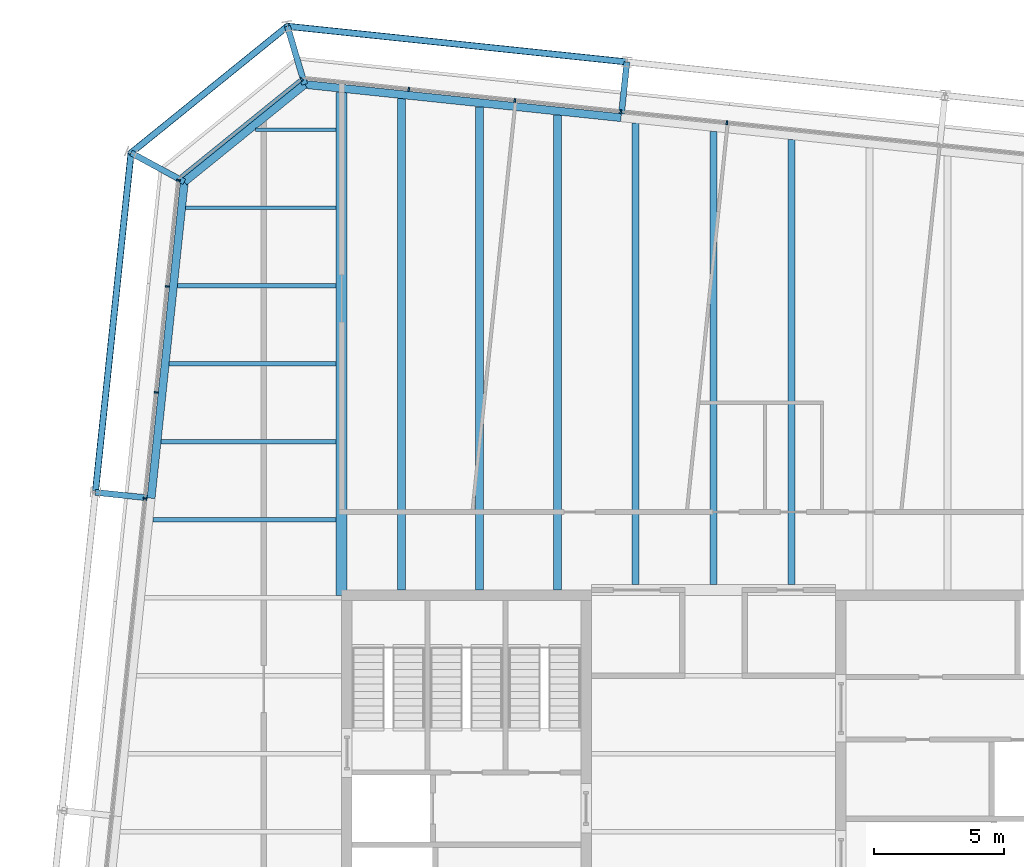
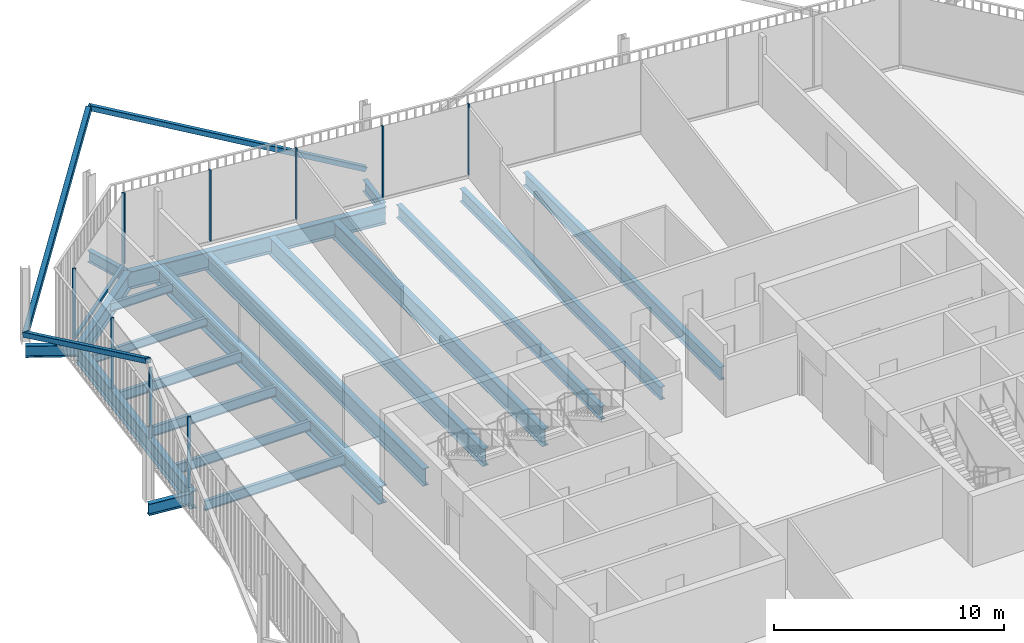
# One storey, part 12 of 21: 20 beams, 13 members, 3 elements without a shape of their own.
"""IFC4 building model written with IfcOpenShell, lengths in metres."""

from ifc_helpers import new_model, si_unit, direction, frame, origin, origin_2d, place, context, subcontext, project, spatial, rectangle, hollow_rectangle, i_section, extrude, material, layer, layer_set, material_profile, profile_set, type_object, element, aggregate, save


model = new_model("IFC4")

# Units and contexts
model_context = context("Model", 3, precision=1e-05, world=origin(), true_north=direction((0.0, 1.0)))
body_context = subcontext(model_context, "Body", "Model", "MODEL_VIEW")
ifc_project = project(units=[si_unit("LENGTHUNIT", "METRE"), si_unit("AREAUNIT", "SQUARE_METRE"), si_unit("VOLUMEUNIT", "CUBIC_METRE"), si_unit("PLANEANGLEUNIT", "RADIAN"), si_unit("MASSUNIT", "GRAM", prefix="KILO")], contexts=[model_context])

# Site, building, storey
site_placement = place(None, origin())
site = spatial("IfcSite", under=ifc_project, at=site_placement, CompositionType="ELEMENT")
building_placement = place(site_placement, origin())
building = spatial("IfcBuilding", under=site, at=building_placement, Name="Millrace Tower", CompositionType="ELEMENT")
storey_placement = place(building_placement, frame((0.0, 0.0, 283.800048828125)))
storey = spatial("IfcBuildingStorey", under=building, at=storey_placement, Name="L65", CompositionType="ELEMENT", Elevation=283.800048828125)

# Curtain wall, members
ifc_material_1 = material(Name="Aluminium and glass", Category="aluminium")
ifc_layer = layer(ifc_material_1, 0.14990234375)
ifc_layer_set = layer_set([ifc_layer], Name="Aluminium and glass")
curtain_wall_type = type_object("IfcCurtainWallType", Name="CW-1 office vision curtain wall", PredefinedType="NOTDEFINED", material=ifc_layer_set)
placement = place(storey_placement, origin())
curtain_wall_1 = element("IfcCurtainWall", 1, at=placement, inside=storey, type_object=curtain_wall_type, Name="Curtain wall E-F06 L65", PredefinedType="NOTDEFINED")
ifc_material_2 = material(Name="Aluminium", Category="aluminium")
ifc_material_profile_1 = material_profile(ifc_material_2, rectangle(XDim=0.06494140625, YDim=0.14990234375, at=origin_2d()))
ifc_profile_set_1 = profile_set([ifc_material_profile_1], Name="Aluminium")
member_type_1 = type_object("IfcMemberType", Name="CW-1 office vision curtain wall mullion", PredefinedType="MULLION", material=ifc_profile_set_1)
member_1_placement = place(storey_placement, frame((0.514892578125, 27.267578125, 0.139892578125), z_axis=(0.0, 0.0, 1.0), x_axis=(-0.994521896217, 0.104528455196, 0.0)))
member_1 = element("IfcMember", 2, at=member_1_placement, type_object=member_type_1, Name="CW1 mullion E-F06.6", PredefinedType="MULLION", context=body_context, shape_type="SweptSolid", body=[
    extrude(rectangle(XDim=0.06494140625, YDim=0.14990234375, at=origin_2d()), origin(), (0.0, 0.0, 1.0), 3.760009765625),
])
member_2_placement = place(storey_placement, frame((-3.562744140625, 27.6962890625, 0.139892578125), z_axis=(0.0, 0.0, 1.0), x_axis=(-0.994521896217, 0.104528455196, 0.0)))
member_2 = element("IfcMember", 3, at=member_2_placement, type_object=member_type_1, Name="CW1 mullion E-F06.7", PredefinedType="MULLION", context=body_context, shape_type="SweptSolid", body=[
    extrude(rectangle(XDim=0.06494140625, YDim=0.14990234375, at=origin_2d()), origin(), (0.0, 0.0, 1.0), 3.760009765625),
])
member_3_placement = place(storey_placement, frame((-7.640380859375, 28.124755859375, 0.139892578125), z_axis=(0.0, 0.0, 1.0), x_axis=(-0.994521896217, 0.104528455196, 0.0)))
member_3 = element("IfcMember", 4, at=member_3_placement, type_object=member_type_1, Name="CW1 mullion E-F06.8", PredefinedType="MULLION", context=body_context, shape_type="SweptSolid", body=[
    extrude(rectangle(XDim=0.06494140625, YDim=0.14990234375, at=origin_2d()), origin(), (0.0, 0.0, 1.0), 3.760009765625),
])
member_4_placement = place(storey_placement, frame((-11.7177734375, 28.55322265625, 0.139892578125), z_axis=(0.0, 0.0, 1.0), x_axis=(-0.994521896217, 0.104528455196, 0.0)))
member_4 = element("IfcMember", 5, at=member_4_placement, type_object=member_type_1, Name="CW1 mullion E-F06.9", PredefinedType="MULLION", context=body_context, shape_type="SweptSolid", body=[
    extrude(rectangle(XDim=0.06494140625, YDim=0.14990234375, at=origin_2d()), origin(), (0.0, 0.0, 1.0), 3.760009765625),
])
aggregate(curtain_wall_1, [member_1, member_2, member_3, member_4])

# Curtain wall, member
curtain_wall_2 = element("IfcCurtainWall", 6, at=placement, inside=storey, type_object=curtain_wall_type, Name="Curtain wall E-F07 L65", PredefinedType="NOTDEFINED")
member_5_placement = place(storey_placement, frame((-15.84326171875, 28.941650390625, 0.139892578125), z_axis=(0.0, 0.0, 1.0), x_axis=(-0.777146052237, -0.629320278945, 0.0)))
member_5 = element("IfcMember", 7, at=member_5_placement, type_object=member_type_1, Name="CW1 mullion E-F07.1", PredefinedType="MULLION", context=body_context, shape_type="SweptSolid", body=[
    extrude(rectangle(XDim=0.06494140625, YDim=0.14990234375, at=origin_2d()), origin(), (0.0, 0.0, 1.0), 3.760009765625),
])

# Curtain wall, members
curtain_wall_3 = element("IfcCurtainWall", 8, at=placement, inside=storey, type_object=curtain_wall_type, Name="Curtain wall E-F08 L65", PredefinedType="NOTDEFINED")
member_6_placement = place(storey_placement, frame((-20.57470703125, 25.052490234375, 0.139892578125), z_axis=(0.0, 0.0, 1.0), x_axis=(-0.104528455196, -0.994521896217, 0.0)))
member_6 = element("IfcMember", 9, at=member_6_placement, type_object=member_type_1, Name="CW1 mullion E-F08.1", PredefinedType="MULLION", context=body_context, shape_type="SweptSolid", body=[
    extrude(rectangle(XDim=0.06494140625, YDim=0.14990234375, at=origin_2d()), origin(), (0.0, 0.0, 1.0), 3.760009765625),
])
member_7_placement = place(storey_placement, frame((-21.00341796875, 20.974853515625, 0.139892578125), z_axis=(0.0, 0.0, 1.0), x_axis=(-0.104528455196, -0.994521896217, 0.0)))
member_7 = element("IfcMember", 10, at=member_7_placement, type_object=member_type_1, Name="CW1 mullion E-F08.2", PredefinedType="MULLION", context=body_context, shape_type="SweptSolid", body=[
    extrude(rectangle(XDim=0.06494140625, YDim=0.14990234375, at=origin_2d()), origin(), (0.0, 0.0, 1.0), 3.760009765625),
])
member_8_placement = place(storey_placement, frame((-21.431884765625, 16.8974609375, 0.139892578125), z_axis=(0.0, 0.0, 1.0), x_axis=(-0.104528455196, -0.994521896217, 0.0)))
member_8 = element("IfcMember", 11, at=member_8_placement, type_object=member_type_1, Name="CW1 mullion E-F08.3", PredefinedType="MULLION", context=body_context, shape_type="SweptSolid", body=[
    extrude(rectangle(XDim=0.06494140625, YDim=0.14990234375, at=origin_2d()), origin(), (0.0, 0.0, 1.0), 3.760009765625),
])
member_9_placement = place(storey_placement, frame((-21.860595703125, 12.81982421875, 0.139892578125), z_axis=(0.0, 0.0, 1.0), x_axis=(-0.104528455196, -0.994521896217, 0.0)))
member_9 = element("IfcMember", 12, at=member_9_placement, type_object=member_type_1, Name="CW1 mullion E-F08.4", PredefinedType="MULLION", context=body_context, shape_type="SweptSolid", body=[
    extrude(rectangle(XDim=0.06494140625, YDim=0.14990234375, at=origin_2d()), origin(), (0.0, 0.0, 1.0), 3.760009765625),
])
aggregate(curtain_wall_3, [member_6, member_7, member_8, member_9])

# Member
ifc_material_3 = material(Name="Aluminium", Category="aluminium")
ifc_material_profile_2 = material_profile(ifc_material_3, rectangle(XDim=0.14990234375, YDim=0.139892578125, at=origin_2d()))
ifc_profile_set_2 = profile_set([ifc_material_profile_2], Name="Aluminium")
member_type_2 = type_object("IfcMemberType", Name="CW-1 office vision curtain wall transom", PredefinedType="USERDEFINED", material=ifc_profile_set_2)
member_10_placement = place(storey_placement, frame((-15.895751953125, 28.899169921875, 0.070068359375), z_axis=(-0.777165591695, -0.629296148951, 0.0), x_axis=(0.629296148951, -0.777165591695, 0.0)))
member_10 = element("IfcMember", 13, at=member_10_placement, type_object=member_type_2, Name="CW1 transom E-F07.1", ObjectType="TRANSOM", PredefinedType="USERDEFINED", context=body_context, shape_type="SweptSolid", body=[
    extrude(rectangle(XDim=0.14990234375, YDim=0.139892578125, at=origin_2d()), origin(), (0.0, 0.0, 1.0), 5.881103515625),
])

aggregate(curtain_wall_2, [member_5, member_10])

# Members
ifc_material_4 = material(Name="Steel ASTM A500 Grade C", Category="steel")
ifc_material_profile_3 = material_profile(ifc_material_4, hollow_rectangle(XDim=0.25390625, YDim=0.25390625, WallThickness=0.0126953125, InnerFilletRadius=0.00634765625, OuterFilletRadius=0.01904296875, at=origin_2d()))
ifc_profile_set_3 = profile_set([ifc_material_profile_3], Name="Steel ASTM A500 Grade C")
member_type_3 = type_object("IfcMemberType", Name="Exoskeleton brace HSS10x10x1/2", PredefinedType="BRACE", material=ifc_profile_set_3)
member_11_placement = place(storey_placement, frame((-3.329345703125, 29.607177734375, 0.39990234375), z_axis=(-0.877568210125, 0.092238278747, 0.470495628578), x_axis=(-0.104530865473, -0.994521642883, 0.0)))
element("IfcMember", 14, at=member_11_placement, inside=storey, type_object=member_type_3, Name="BRC-E-L65-12", PredefinedType="BRACE", context=body_context, shape_type="SweptSolid", body=[
    extrude(hollow_rectangle(XDim=0.25390625, YDim=0.25390625, WallThickness=0.0126953125, InnerFilletRadius=0.00634765625, OuterFilletRadius=0.01904296875, at=origin_2d()), origin(), (0.0, 0.0, 1.0), 14.8779296875),
])
member_12_placement = place(storey_placement, frame((-22.399169921875, 26.10986328125, 0.39990234375), z_axis=(0.57631352586, 0.466694392708, 0.670864415308), x_axis=(-0.62932438279, 0.777142728993, 0.0)))
element("IfcMember", 15, at=member_12_placement, inside=storey, type_object=member_type_3, Name="BRC-E-L65-13", PredefinedType="BRACE", context=body_context, shape_type="SweptSolid", body=[
    extrude(hollow_rectangle(XDim=0.25390625, YDim=0.25390625, WallThickness=0.0126953125, InnerFilletRadius=0.00634765625, OuterFilletRadius=0.01904296875, at=origin_2d()), origin(), (0.0, 0.0, 1.0), 10.434326171875),
])
member_13_placement = place(storey_placement, frame((-22.399169921875, 26.10986328125, 0.39990234375), z_axis=(-0.092238278747, -0.877568210125, 0.470495628578), x_axis=(0.994521642883, -0.104530865473, 0.0)))
element("IfcMember", 16, at=member_13_placement, inside=storey, type_object=member_type_3, Name="BRC-E-L65-14", PredefinedType="BRACE", context=body_context, shape_type="SweptSolid", body=[
    extrude(hollow_rectangle(XDim=0.25390625, YDim=0.25390625, WallThickness=0.0126953125, InnerFilletRadius=0.00634765625, OuterFilletRadius=0.01904296875, at=origin_2d()), origin(), (0.0, 0.0, 1.0), 14.8779296875),
])

# Beams
ifc_material_5 = material(Name="Steel ASTM A992 Grade 50", Category="steel")
ifc_material_profile_4 = material_profile(ifc_material_5, i_section(OverallWidth=0.15234375, OverallDepth=0.449462890625, WebThickness=0.007568359375, FlangeThickness=0.0107421875, FilletRadius=0.01025390625, at=origin_2d()))
ifc_profile_set_4 = profile_set([ifc_material_profile_4], Name="Steel ASTM A992 Grade 50")
beam_type_1 = type_object("IfcBeamType", Name="Floor beam W18x35", PredefinedType="JOIST", material=ifc_profile_set_4)
beam_1_placement = place(storey_placement, frame((-20.301025390625, 24.0, -0.384765625), z_axis=(1.0, 0.0, 0.0), x_axis=(0.0, 1.0, 0.0)))
element("IfcBeam", 17, at=beam_1_placement, inside=storey, type_object=beam_type_1, Name="BM-E-L65-S1-S033", PredefinedType="JOIST", context=body_context, shape_type="SweptSolid", body=[
    extrude(i_section(OverallWidth=0.15234375, OverallDepth=0.449462890625, WebThickness=0.007568359375, FlangeThickness=0.0107421875, FilletRadius=0.01025390625, at=origin_2d()), origin(), (0.0, 0.0, 1.0), 5.79150390625),
])
beam_2_placement = place(storey_placement, frame((-17.609619140625, 27.0, -0.384765625), z_axis=(1.0, 0.0, 0.0), x_axis=(0.0, 1.0, 0.0)))
element("IfcBeam", 18, at=beam_2_placement, inside=storey, type_object=beam_type_1, Name="BM-E-L65-S1-S035", PredefinedType="JOIST", context=body_context, shape_type="SweptSolid", body=[
    extrude(i_section(OverallWidth=0.15234375, OverallDepth=0.449462890625, WebThickness=0.007568359375, FlangeThickness=0.0107421875, FilletRadius=0.01025390625, at=origin_2d()), origin(), (0.0, 0.0, 1.0), 3.10009765625),
])
ifc_material_6 = material(Name="Steel ASTM A992 Grade 50", Category="steel")
ifc_material_profile_5 = material_profile(ifc_material_6, i_section(OverallWidth=0.1650390625, OverallDepth=0.52587890625, WebThickness=0.0087890625, FlangeThickness=0.011474609375, FilletRadius=0.0126953125, at=origin_2d()))
ifc_profile_set_5 = profile_set([ifc_material_profile_5], Name="Steel ASTM A992 Grade 50")
beam_type_2 = type_object("IfcBeamType", Name="Floor beam W21x44", PredefinedType="JOIST", material=ifc_profile_set_5)
beam_3_placement = place(storey_placement, frame((-21.562255859375, 12.0, -0.4228515625), z_axis=(1.0, 0.0, 0.0), x_axis=(0.0, 1.0, 0.0)))
element("IfcBeam", 19, at=beam_3_placement, inside=storey, type_object=beam_type_2, Name="BM-E-L65-S1-S025", PredefinedType="JOIST", context=body_context, shape_type="SweptSolid", body=[
    extrude(i_section(OverallWidth=0.1650390625, OverallDepth=0.52587890625, WebThickness=0.0087890625, FlangeThickness=0.011474609375, FilletRadius=0.0126953125, at=origin_2d()), origin(), (0.0, 0.0, 1.0), 7.052734375),
])
beam_4_placement = place(storey_placement, frame((-21.246826171875, 15.0, -0.4228515625), z_axis=(1.0, 0.0, 0.0), x_axis=(0.0, 1.0, 0.0)))
element("IfcBeam", 20, at=beam_4_placement, inside=storey, type_object=beam_type_2, Name="BM-E-L65-S1-S027", PredefinedType="JOIST", context=body_context, shape_type="SweptSolid", body=[
    extrude(i_section(OverallWidth=0.1650390625, OverallDepth=0.52587890625, WebThickness=0.0087890625, FlangeThickness=0.011474609375, FilletRadius=0.0126953125, at=origin_2d()), origin(), (0.0, 0.0, 1.0), 6.7373046875),
])
beam_5_placement = place(storey_placement, frame((-20.931640625, 18.0, -0.4228515625), z_axis=(1.0, 0.0, 0.0), x_axis=(0.0, 1.0, 0.0)))
element("IfcBeam", 21, at=beam_5_placement, inside=storey, type_object=beam_type_2, Name="BM-E-L65-S1-S029", PredefinedType="JOIST", context=body_context, shape_type="SweptSolid", body=[
    extrude(i_section(OverallWidth=0.1650390625, OverallDepth=0.52587890625, WebThickness=0.0087890625, FlangeThickness=0.011474609375, FilletRadius=0.0126953125, at=origin_2d()), origin(), (0.0, 0.0, 1.0), 6.422119140625),
])
beam_6_placement = place(storey_placement, frame((-20.6162109375, 21.0, -0.4228515625), z_axis=(1.0, 0.0, 0.0), x_axis=(0.0, 1.0, 0.0)))
element("IfcBeam", 22, at=beam_6_placement, inside=storey, type_object=beam_type_2, Name="BM-E-L65-S1-S031", PredefinedType="JOIST", context=body_context, shape_type="SweptSolid", body=[
    extrude(i_section(OverallWidth=0.1650390625, OverallDepth=0.52587890625, WebThickness=0.0087890625, FlangeThickness=0.011474609375, FilletRadius=0.0126953125, at=origin_2d()), origin(), (0.0, 0.0, 1.0), 6.106689453125),
])
ifc_material_7 = material(Name="Steel ASTM A992 Grade 50", Category="steel")
ifc_material_profile_6 = material_profile(ifc_material_7, i_section(OverallWidth=0.256591796875, OverallDepth=0.693359375, WebThickness=0.014404296875, FlangeThickness=0.023681640625, FilletRadius=0.01513671875, at=origin_2d()))
ifc_profile_set_6 = profile_set([ifc_material_profile_6], Name="Steel ASTM A992 Grade 50")
beam_type_3 = type_object("IfcBeamType", Name="Floor beam W27x114", PredefinedType="JOIST", material=ifc_profile_set_6)
beam_7_placement = place(storey_placement, frame((-3.0, 9.509521484375, -0.5068359375), z_axis=(0.0, 1.0, 0.0), x_axis=(-1.0, 0.0, 0.0)))
element("IfcBeam", 23, at=beam_7_placement, inside=storey, type_object=beam_type_3, Name="BM-E-L65-S1-S042", PredefinedType="JOIST", context=body_context, shape_type="SweptSolid", body=[
    extrude(i_section(OverallWidth=0.256591796875, OverallDepth=0.693359375, WebThickness=0.014404296875, FlangeThickness=0.023681640625, FilletRadius=0.01513671875, at=origin_2d()), origin(), (0.0, 0.0, 1.0), 17.7431640625),
])
beam_8_placement = place(storey_placement, frame((0.0, 9.509521484375, -0.5068359375), z_axis=(0.0, 1.0, 0.0), x_axis=(-1.0, 0.0, 0.0)))
element("IfcBeam", 24, at=beam_8_placement, inside=storey, type_object=beam_type_3, Name="BM-E-L65-S1-S044", PredefinedType="JOIST", context=body_context, shape_type="SweptSolid", body=[
    extrude(i_section(OverallWidth=0.256591796875, OverallDepth=0.693359375, WebThickness=0.014404296875, FlangeThickness=0.023681640625, FilletRadius=0.01513671875, at=origin_2d()), origin(), (0.0, 0.0, 1.0), 17.427734375),
])
beam_9_placement = place(storey_placement, frame((3.0, 9.509521484375, -0.5068359375), z_axis=(0.0, 1.0, 0.0), x_axis=(-1.0, 0.0, 0.0)))
element("IfcBeam", 25, at=beam_9_placement, inside=storey, type_object=beam_type_3, Name="BM-E-L65-S1-S046", PredefinedType="JOIST", context=body_context, shape_type="SweptSolid", body=[
    extrude(i_section(OverallWidth=0.256591796875, OverallDepth=0.693359375, WebThickness=0.014404296875, FlangeThickness=0.023681640625, FilletRadius=0.01513671875, at=origin_2d()), origin(), (0.0, 0.0, 1.0), 17.112548828125),
])
ifc_material_8 = material(Name="Steel ASTM A992 Grade 50", Category="steel")
ifc_material_profile_7 = material_profile(ifc_material_8, i_section(OverallWidth=0.307373046875, OverallDepth=0.927001953125, WebThickness=0.01953125, FlangeThickness=0.031982421875, FilletRadius=0.01904296875, at=origin_2d()))
ifc_profile_set_7 = profile_set([ifc_material_profile_7], Name="Steel ASTM A992 Grade 50")
beam_type_4 = type_object("IfcBeamType", Name="Floor beam W36x194", PredefinedType="JOIST", material=ifc_profile_set_7)
beam_10_placement = place(storey_placement, frame((-12.0, 9.300048828125, -0.62353515625), z_axis=(0.0, 1.0, 0.0), x_axis=(-1.0, 0.0, 0.0)))
element("IfcBeam", 26, at=beam_10_placement, inside=storey, type_object=beam_type_4, Name="BM-E-L65-S1-S036", PredefinedType="JOIST", context=body_context, shape_type="SweptSolid", body=[
    extrude(i_section(OverallWidth=0.307373046875, OverallDepth=0.927001953125, WebThickness=0.01953125, FlangeThickness=0.031982421875, FilletRadius=0.01904296875, at=origin_2d()), origin(), (0.0, 0.0, 1.0), 18.8984375),
])
beam_11_placement = place(storey_placement, frame((-9.0, 9.300048828125, -0.62353515625), z_axis=(0.0, 1.0, 0.0), x_axis=(-1.0, 0.0, 0.0)))
element("IfcBeam", 27, at=beam_11_placement, inside=storey, type_object=beam_type_4, Name="BM-E-L65-S1-S038", PredefinedType="JOIST", context=body_context, shape_type="SweptSolid", body=[
    extrude(i_section(OverallWidth=0.307373046875, OverallDepth=0.927001953125, WebThickness=0.01953125, FlangeThickness=0.031982421875, FilletRadius=0.01904296875, at=origin_2d()), origin(), (0.0, 0.0, 1.0), 18.583251953125),
])
beam_12_placement = place(storey_placement, frame((-6.0, 9.300048828125, -0.62353515625), z_axis=(0.0, 1.0, 0.0), x_axis=(-1.0, 0.0, 0.0)))
element("IfcBeam", 28, at=beam_12_placement, inside=storey, type_object=beam_type_4, Name="BM-E-L65-S1-S040", PredefinedType="JOIST", context=body_context, shape_type="SweptSolid", body=[
    extrude(i_section(OverallWidth=0.307373046875, OverallDepth=0.927001953125, WebThickness=0.01953125, FlangeThickness=0.031982421875, FilletRadius=0.01904296875, at=origin_2d()), origin(), (0.0, 0.0, 1.0), 18.267822265625),
])
ifc_material_9 = material(Name="Steel ASTM A992 Grade 50", Category="steel")
ifc_material_profile_8 = material_profile(ifc_material_9, i_section(OverallWidth=0.424072265625, OverallDepth=0.947509765625, WebThickness=0.02392578125, FlangeThickness=0.042724609375, FilletRadius=0.024169921875, at=origin_2d()))
ifc_profile_set_8 = profile_set([ifc_material_profile_8], Name="Steel ASTM A992 Grade 50")
beam_type_5 = type_object("IfcBeamType", Name="Girder medium span W36x302", PredefinedType="BEAM", material=ifc_profile_set_8)
beam_13_placement = place(storey_placement, frame((-14.300048828125, 9.083984375, -0.6337890625), z_axis=(0.0, 1.0, 0.0), x_axis=(-1.0, 0.0, 0.0)))
element("IfcBeam", 29, at=beam_13_placement, inside=storey, type_object=beam_type_5, Name="BM-E-L65-S1-G054", PredefinedType="BEAM", context=body_context, shape_type="SweptSolid", body=[
    extrude(i_section(OverallWidth=0.424072265625, OverallDepth=0.947509765625, WebThickness=0.02392578125, FlangeThickness=0.042724609375, FilletRadius=0.024169921875, at=origin_2d()), origin(), (0.0, 0.0, 1.0), 19.356201171875),
])
ifc_material_10 = material(Name="Steel ASTM A992 Grade 50", Category="steel")
ifc_material_profile_9 = material_profile(ifc_material_10, i_section(OverallWidth=0.23046875, OverallDepth=0.6171875, WebThickness=0.01318359375, FlangeThickness=0.022216796875, FilletRadius=0.012939453125, at=origin_2d()))
ifc_profile_set_9 = profile_set([ifc_material_profile_9], Name="Steel ASTM A992 Grade 50")
beam_type_6 = type_object("IfcBeamType", Name="Link beam W24x94", PredefinedType="BEAM", material=ifc_profile_set_9)
beam_14_placement = place(storey_placement, frame((-21.782470703125, 12.84423828125, -0.46875), z_axis=(-0.994512808172, 0.104614886044, 0.0), x_axis=(-0.104614886044, -0.994512808172, 0.0)))
element("IfcBeam", 30, at=beam_14_placement, inside=storey, type_object=beam_type_6, Name="LNK-E-L65-S1-03", PredefinedType="BEAM", context=body_context, shape_type="SweptSolid", body=[
    extrude(i_section(OverallWidth=0.23046875, OverallDepth=0.6171875, WebThickness=0.01318359375, FlangeThickness=0.022216796875, FilletRadius=0.012939453125, at=origin_2d()), origin(), (0.0, 0.0, 1.0), 2.0),
])
for number, where, z_axis, x_axis, name in (
    (31, (-20.3505859375, 24.99755859375, -0.46875), (-0.87881453358, 0.477163510307, 0.0), (-0.477163510307, -0.87881453358, 0.0), "LNK-E-L65-S1-04"),
    (32, (-15.7236328125, 28.744384765625, -0.46875), (-0.284031275065, 0.958815015936, 0.0), (-0.958815015936, -0.284031275065, 0.0), "LNK-E-L65-S1-05"),
):
    element("IfcBeam", number, at=place(storey_placement, frame(where, z_axis=z_axis, x_axis=x_axis)), inside=storey, type_object=beam_type_6, Name=name, PredefinedType="BEAM", context=body_context, shape_type="SweptSolid", body=[
        extrude(i_section(OverallWidth=0.23046875, OverallDepth=0.6171875, WebThickness=0.01318359375, FlangeThickness=0.022216796875, FilletRadius=0.012939453125, at=origin_2d()), origin(), (0.0, 0.0, 1.0), 2.3310546875),
    ])
beam_15_placement = place(storey_placement, frame((-3.538330078125, 27.6181640625, -0.46875), z_axis=(0.104494148666, 0.99452550138, 0.0), x_axis=(-0.99452550138, 0.104494148666, 0.0)))
element("IfcBeam", 33, at=beam_15_placement, inside=storey, type_object=beam_type_6, Name="LNK-E-L65-S1-06", PredefinedType="BEAM", context=body_context, shape_type="SweptSolid", body=[
    extrude(i_section(OverallWidth=0.23046875, OverallDepth=0.6171875, WebThickness=0.01318359375, FlangeThickness=0.022216796875, FilletRadius=0.012939453125, at=origin_2d()), origin(), (0.0, 0.0, 1.0), 2.0),
])
ifc_material_11 = material(Name="Steel ASTM A992 Grade 50", Category="steel")
ifc_material_profile_10 = material_profile(ifc_material_11, i_section(OverallWidth=0.307373046875, OverallDepth=0.927001953125, WebThickness=0.01953125, FlangeThickness=0.031982421875, FilletRadius=0.01904296875, at=origin_2d()))
ifc_profile_set_10 = profile_set([ifc_material_profile_10], Name="Steel ASTM A992 Grade 50")
beam_type_7 = type_object("IfcBeamType", Name="Ring beam medium span W36x194", PredefinedType="SPANDREL", material=ifc_profile_set_10)
for number, where, z_axis, x_axis, name in (
    (34, (-21.629638671875, 12.828369140625, -0.62353515625), (0.104530030035, 0.994521730693, 0.0), (-0.994521730693, 0.104530030035, 0.0), "RNG-E-L65-S1-03"),
    (35, (-15.7236328125, 28.744384765625, -0.62353515625), (0.994521730693, -0.104530030035, 0.0), (0.104530030035, 0.994521730693, 0.0), "RNG-E-L65-S1-05"),
):
    element("IfcBeam", number, at=place(storey_placement, frame(where, z_axis=z_axis, x_axis=x_axis)), inside=storey, type_object=beam_type_7, Name=name, PredefinedType="SPANDREL", context=body_context, shape_type="SweptSolid", body=[
        extrude(i_section(OverallWidth=0.307373046875, OverallDepth=0.927001953125, WebThickness=0.01953125, FlangeThickness=0.031982421875, FilletRadius=0.01904296875, at=origin_2d()), origin(), (0.0, 0.0, 1.0), 12.236328125),
    ])
ifc_material_12 = material(Name="Steel ASTM A992 Grade 50", Category="steel")
ifc_material_profile_11 = material_profile(ifc_material_12, i_section(OverallWidth=0.307373046875, OverallDepth=0.927001953125, WebThickness=0.01953125, FlangeThickness=0.031982421875, FilletRadius=0.01904296875, at=origin_2d()))
ifc_profile_set_11 = profile_set([ifc_material_profile_11], Name="Steel ASTM A992 Grade 50")
beam_type_8 = type_object("IfcBeamType", Name="Ring beam short span W36x194", PredefinedType="SPANDREL", material=ifc_profile_set_11)
beam_16_placement = place(storey_placement, frame((-20.3505859375, 24.99755859375, -0.62353515625), z_axis=(0.777146502883, 0.629319722443, 0.0), x_axis=(-0.629319722443, 0.777146502883, 0.0)))
element("IfcBeam", 36, at=beam_16_placement, inside=storey, type_object=beam_type_8, Name="RNG-E-L65-S1-04", PredefinedType="SPANDREL", context=body_context, shape_type="SweptSolid", body=[
    extrude(i_section(OverallWidth=0.307373046875, OverallDepth=0.927001953125, WebThickness=0.01953125, FlangeThickness=0.031982421875, FilletRadius=0.01904296875, at=origin_2d()), origin(), (0.0, 0.0, 1.0), 5.953857421875),
])

save(model, "model.ifc")
